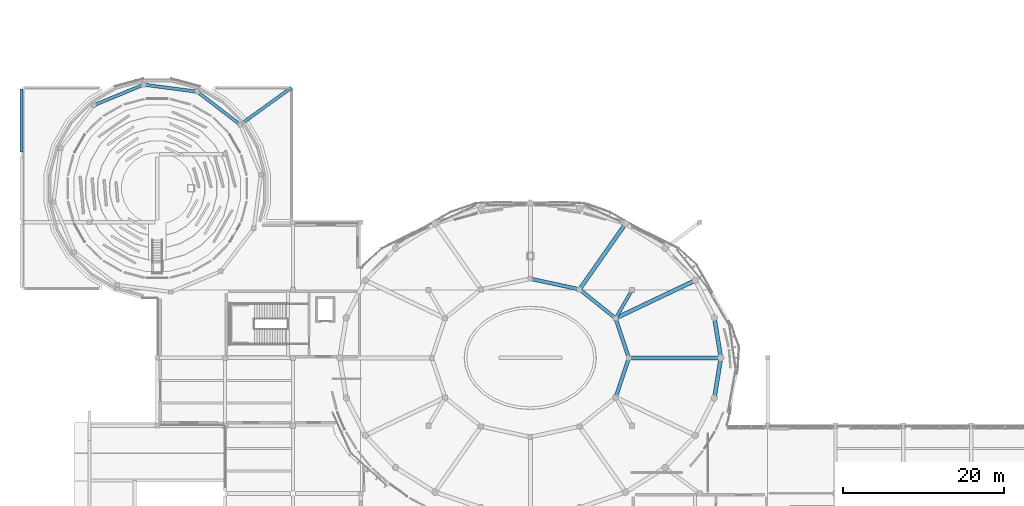
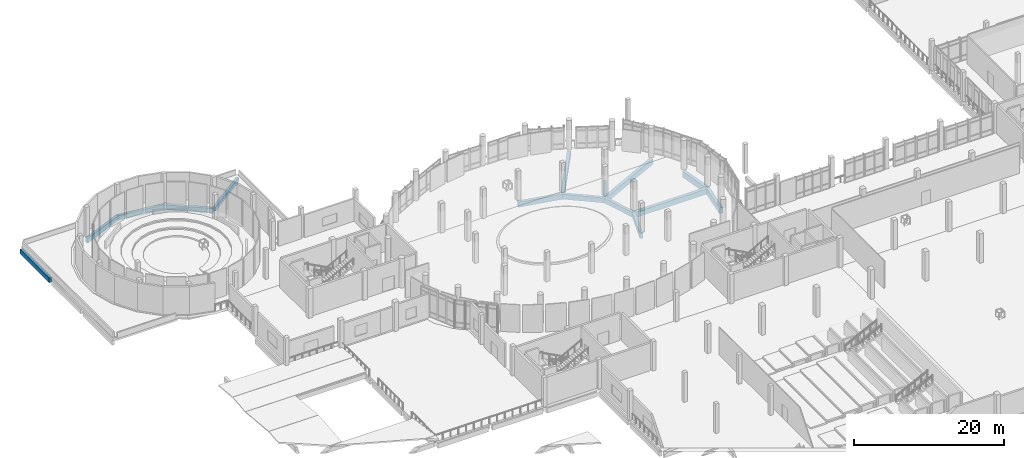
# One storey, part 14 of 63: 15 beams.
"""IFC4 building model written with IfcOpenShell, lengths in metres."""

import ifcopenshell
import ifcopenshell.guid

model = None  # the IFC model being written
_history = None  # IfcOwnerHistory: only IFC2X3 demands one
_inside = {}  # id of a spatial element -> (the spatial element, [elements in it])
_under = {}  # id of a project, library or spatial element -> (it, [spatial elements below it])
_declared = {}  # id of a project -> (the project, [libraries it declares])
_typed = {}  # id of a type object -> (the type object, [elements of that type])
_made_of = {}  # id of a material, layer set ... -> (it, [elements and type objects made of it])


def new_model(schema):
    """Start an empty IFC model of exactly this schema.

    Asked for "IFC4X3", IfcOpenShell would pick the latest addendum, in which some entities
    have other attributes; the version numbers below select the first issue.
    IFC2X3 requires an IfcOwnerHistory on every rooted entity: one is made here for all.
    """
    global model, _history
    if schema == "IFC4X3":
        model = ifcopenshell.file(schema_version=(4, 3, 0, 0))
    else:
        model = ifcopenshell.file(schema=schema)
    _inside.clear()
    _under.clear()
    _declared.clear()
    _typed.clear()
    _made_of.clear()
    _history = None
    if model.schema == "IFC2X3":
        org = make("IfcOrganization", Name="unknown")
        user = make(
            "IfcPersonAndOrganization",
            ThePerson=make("IfcPerson", FamilyName="unknown"),
            TheOrganization=org,
        )
        app = make(
            "IfcApplication",
            ApplicationDeveloper=org,
            Version="unknown",
            ApplicationFullName="unknown",
            ApplicationIdentifier="unknown",
        )
        _history = make(
            "IfcOwnerHistory",
            OwningUser=user,
            OwningApplication=app,
            ChangeAction="ADDED",
            CreationDate=0,
        )
    return model


def make(cls, **values):
    """One entity of the class cls with the attributes given. An attribute that is None is left unset."""
    return model.create_entity(
        cls, **{name: value for name, value in values.items() if value is not None}
    )


def rooted(cls, **values):
    """An entity with a GlobalId (a new one), such as an element, a storey or a relation."""
    return make(cls, GlobalId=ifcopenshell.guid.new(), OwnerHistory=_history, **values)


def si_unit(unit_type, name, prefix=None):
    """IfcSIUnit, for example si_unit("LENGTHUNIT", "METRE", prefix="MILLI")."""
    return make("IfcSIUnit", UnitType=unit_type, Prefix=prefix, Name=name)


def derived_unit(unit_type, elements):
    """IfcDerivedUnit: a product of units, each with its exponent."""
    return make(
        "IfcDerivedUnit",
        Elements=[
            make("IfcDerivedUnitElement", Unit=unit, Exponent=power)
            for unit, power in elements
        ],
        UnitType=unit_type,
    )


def assignment(units):
    """IfcUnitAssignment: the units of a project."""
    return None if units is None else make("IfcUnitAssignment", Units=units)


def point(xyz):
    """IfcCartesianPoint."""
    return None if xyz is None else make("IfcCartesianPoint", Coordinates=xyz)


def direction(xyz):
    """IfcDirection."""
    return None if xyz is None else make("IfcDirection", DirectionRatios=xyz)


def frame(location, z_axis=None, x_axis=None):
    """IfcAxis2Placement3D, a coordinate frame: its origin and axes. An axis left out is left unset."""
    return make(
        "IfcAxis2Placement3D",
        Location=point(location),
        Axis=direction(z_axis),
        RefDirection=direction(x_axis),
    )


def frame_2d(location, x_axis=None):
    """IfcAxis2Placement2D, a coordinate frame in the plane: its origin and x axis."""
    return make(
        "IfcAxis2Placement2D", Location=point(location), RefDirection=direction(x_axis)
    )


def origin():
    """The frame at (0, 0, 0) with its axes left unset."""
    return frame((0.0, 0.0, 0.0))


def origin_2d():
    """The frame at (0, 0) in the plane with its x axis left unset."""
    return frame_2d((0.0, 0.0))


def place(relative_to, where):
    """IfcLocalPlacement: puts the frame where relative to a parent placement (None: the world)."""
    return make(
        "IfcLocalPlacement", PlacementRelTo=relative_to, RelativePlacement=where
    )


def context(
    kind, dimensions, precision=None, world=None, true_north=None, identifier=None
):
    """IfcGeometricRepresentationContext, for example the 3D "Model" context."""
    return make(
        "IfcGeometricRepresentationContext",
        ContextIdentifier=identifier,
        ContextType=kind,
        CoordinateSpaceDimension=dimensions,
        Precision=precision,
        WorldCoordinateSystem=world,
        TrueNorth=true_north,
    )


def subcontext(parent, identifier, kind, view, scale=None):
    """IfcGeometricRepresentationSubContext, for example "Body" below "Model"."""
    return make(
        "IfcGeometricRepresentationSubContext",
        ContextIdentifier=identifier,
        ContextType=kind,
        ParentContext=parent,
        TargetScale=scale,
        TargetView=view,
    )


def project(units=None, contexts=None):
    """IfcProject with its units and contexts."""
    return rooted(
        "IfcProject",
        Name="project",
        RepresentationContexts=contexts,
        UnitsInContext=assignment(units),
    )


def spatial(cls, under=None, at=None, **own):
    """A site, building, storey or space (cls), placed at a placement, below another one or the project."""
    s = rooted(cls, ObjectPlacement=at, **own)
    if under is not None:
        _under.setdefault(under.id(), (under, []))[1].append(s)
    return s


def profile(cls, at=None, kind="AREA", **sizes):
    """A parametric profile (cls). Its sizes go by their IFC names, for example OverallWidth=200.0."""
    return make(cls, ProfileType=kind, Position=at, **sizes)


def rectangle(**sizes):
    """IfcRectangleProfileDef."""
    return profile("IfcRectangleProfileDef", **sizes)


def extrude(swept, where, along, depth):
    """IfcExtrudedAreaSolid: the profile swept, set in the frame where, extruded along a direction by depth."""
    return make(
        "IfcExtrudedAreaSolid",
        SweptArea=swept,
        Position=where,
        ExtrudedDirection=direction(along),
        Depth=depth,
    )


def shape(context_of_items, identifier, shape_type, items):
    """IfcShapeRepresentation: the items that make up one representation, for example the "Body"."""
    return make(
        "IfcShapeRepresentation",
        ContextOfItems=context_of_items,
        RepresentationIdentifier=identifier,
        RepresentationType=shape_type,
        Items=items,
    )


def material(Name=None, Category=None):
    """IfcMaterial."""
    return make("IfcMaterial", Name=Name, Category=Category)


def material_profile(
    of_material, cross_section, Name=None, Category=None, Priority=None
):
    """IfcMaterialProfile: a cross section and its material."""
    return make(
        "IfcMaterialProfile",
        Name=Name,
        Material=of_material,
        Profile=cross_section,
        Priority=Priority,
        Category=Category,
    )


def profile_set(profiles, Name=None, composite=None):
    """IfcMaterialProfileSet."""
    return make(
        "IfcMaterialProfileSet",
        Name=Name,
        MaterialProfiles=profiles,
        CompositeProfile=composite,
    )


def made_of(thing, what):
    """Note that an element or type object is made of a material, layer set ...; save() writes the relation."""
    if what is not None:
        _made_of.setdefault(what.id(), (what, []))[1].append(thing)
    return thing


def type_object(cls, material=None, **own):
    """A type object (cls), such as IfcWallType, which elements share."""
    return made_of(rooted(cls, **own), material)


def element(
    cls,
    number,
    at=None,
    inside=None,
    cuts=None,
    type_object=None,
    material=None,
    context=None,
    identifier="Body",
    shape_type=None,
    held_by="IfcProductDefinitionShape",
    body=None,
    shapes=None,
    **own,
):
    """One element of the class cls, such as IfcWall. Its Tag is "e" and its number.

    at: its placement. inside: the storey or other place that contains it. cuts: it is an
    opening in that element (IfcRelVoidsElement). A single representation is given by context,
    identifier, shape_type and body (its items); several are given by shapes. held_by: the class
    of the entity that holds the representations. save() writes the other relations.
    """
    e = rooted(cls, Tag="e%d" % number, ObjectPlacement=at, **own)
    if body is not None:
        shapes = [shape(context, identifier, shape_type, body)]
    if shapes is not None:
        e.Representation = make(held_by, Representations=shapes)
    if inside is not None:
        _inside.setdefault(inside.id(), (inside, []))[1].append(e)
    if cuts is not None:
        rooted(
            "IfcRelVoidsElement", RelatingBuildingElement=cuts, RelatedOpeningElement=e
        )
    if type_object is not None:
        _typed.setdefault(type_object.id(), (type_object, []))[1].append(e)
    return made_of(e, material)


def aggregate(whole, parts):
    """IfcRelAggregates: a whole, such as a stair, and the parts it consists of."""
    return rooted("IfcRelAggregates", RelatingObject=whole, RelatedObjects=parts)


def save(model, path):
    """Write the relations noted so far, then the file.

    IfcRelAggregates (storeys below a building ...), IfcRelContainedInSpatialStructure (elements
    in a storey), IfcRelDefinesByType, IfcRelAssociatesMaterial and IfcRelDeclares: one each for
    every whole, place, type object, material and project.
    """
    for whole, parts in _under.values():
        aggregate(whole, parts)
    for where, things in _inside.values():
        rooted(
            "IfcRelContainedInSpatialStructure",
            RelatedElements=things,
            RelatingStructure=where,
        )
    for kind, things in _typed.values():
        rooted("IfcRelDefinesByType", RelatedObjects=things, RelatingType=kind)
    for what, things in _made_of.values():
        rooted("IfcRelAssociatesMaterial", RelatedObjects=things, RelatingMaterial=what)
    for by, libraries in _declared.values():
        rooted("IfcRelDeclares", RelatingContext=by, RelatedDefinitions=libraries)
    model.write(path)


model = new_model("IFC4")

# Units and contexts
model_context = context("Model", 3, precision=1e-05, world=origin(), true_north=direction((0.0, 1.0)))
body_context = subcontext(model_context, "Body", "Model", "MODEL_VIEW")
ifc_project = project(units=[si_unit("LENGTHUNIT", "METRE"), si_unit("AREAUNIT", "SQUARE_METRE"), si_unit("VOLUMEUNIT", "CUBIC_METRE"), si_unit("PLANEANGLEUNIT", "RADIAN"), si_unit("MASSUNIT", "GRAM", prefix="KILO"), derived_unit("THERMALTRANSMITTANCEUNIT", [(si_unit("POWERUNIT", "WATT"), 1), (si_unit("LENGTHUNIT", "METRE"), -2), (si_unit("THERMODYNAMICTEMPERATUREUNIT", "KELVIN"), -1)])], contexts=[model_context])

# Site, building, storey
site_placement = place(None, origin())
site = spatial("IfcSite", under=ifc_project, at=site_placement, CompositionType="ELEMENT")
building_placement = place(site_placement, origin())
building = spatial("IfcBuilding", under=site, at=building_placement, Name="Elbkamm Science Centre", CompositionType="ELEMENT")
storey_placement = place(building_placement, frame((0.0, 0.0, 5.10009765625)))
storey = spatial("IfcBuildingStorey", under=building, at=storey_placement, Name="L01", CompositionType="ELEMENT", Elevation=5.10009765625)

# Beams
ifc_material = material(Name="Concrete C40/50", Category="concrete")
ifc_material_profile_1 = material_profile(ifc_material, rectangle(XDim=0.39990234375, YDim=0.64990234375, at=origin_2d()), Name="RC 400x650")
ifc_profile_set_1 = profile_set([ifc_material_profile_1], Name="Concrete C40/50")
beam_type_1 = type_object("IfcBeamType", Name="BM-RC-400x650", PredefinedType="BEAM", material=ifc_profile_set_1)
beam_1_placement = place(storey_placement, frame((33.421630859375, 100.671142578125, -0.72509765625), z_axis=(-0.81045928616, -0.585794968805, 0.0), x_axis=(0.585794968805, -0.81045928616, 0.0)))
element("IfcBeam", 1, at=beam_1_placement, inside=storey, type_object=beam_type_1, Name="L01 Perimeter Ring Tie Girder 026", PredefinedType="BEAM", context=body_context, shape_type="SweptSolid", body=[
    extrude(rectangle(XDim=0.39990234375, YDim=0.64990234375, at=origin_2d()), origin(), (0.0, 0.0, 1.0), 7.6123046875),
])
beam_2_placement = place(storey_placement, frame((75.489501953125, 75.409912109375, -0.72509765625), z_axis=(-0.502465212806, -0.864597426506, 0.0), x_axis=(0.864597426506, -0.502465212806, 0.0)))
element("IfcBeam", 2, at=beam_2_placement, inside=storey, type_object=beam_type_1, Name="L01 Perimeter Ring Tie Girder 030", PredefinedType="BEAM", context=body_context, shape_type="SweptSolid", body=[
    extrude(rectangle(XDim=0.39990234375, YDim=0.64990234375, at=origin_2d()), origin(), (0.0, 0.0, 1.0), 3.608154296875),
])
ifc_material_profile_2 = material_profile(ifc_material, rectangle(XDim=0.39990234375, YDim=0.75, at=origin_2d()), Name="RC 400x750")
ifc_profile_set_2 = profile_set([ifc_material_profile_2], Name="Concrete C40/50")
beam_type_2 = type_object("IfcBeamType", Name="BM-RC-400x750", PredefinedType="BEAM", material=ifc_profile_set_2)
beam_3_placement = place(storey_placement, frame((0.0, 92.699951171875, -0.64501953125), z_axis=(0.0, 1.0, 0.0), x_axis=(-1.0, 0.0, 0.0)))
element("IfcBeam", 3, at=beam_3_placement, inside=storey, type_object=beam_type_2, Name="L01 Step-Back Primary Y-Girder 003", PredefinedType="BEAM", context=body_context, shape_type="SweptSolid", body=[
    extrude(rectangle(XDim=0.39990234375, YDim=0.75, at=origin_2d()), origin(), (0.0, 0.0, 1.0), 7.800048828125),
])
for number, where, z_axis, x_axis, name in (
    (4, (27.073974609375, 96.0830078125, -0.775146484375), (-0.793316689519, 0.608809190249, 0.0), (-0.608809190249, -0.793316689519, 0.0), "L01 Planetarium Drum Ring Spandrel 02"),
    (5, (21.756103515625, 100.1640625, -0.775146484375), (-0.991444127465, 0.13053176669, 0.0), (-0.13053176669, -0.991444127465, 0.0), "L01 Planetarium Drum Ring Spandrel 03"),
    (6, (15.110107421875, 101.0390625, -0.775146484375), (-0.923896985298, -0.382641294893, 0.0), (0.382641294893, -0.923896985298, 0.0), "L01 Planetarium Drum Ring Spandrel 04"),
):
    element("IfcBeam", number, at=place(storey_placement, frame(where, z_axis=z_axis, x_axis=x_axis)), inside=storey, type_object=beam_type_2, Name=name, PredefinedType="SPANDREL", context=body_context, shape_type="SweptSolid", body=[
        extrude(rectangle(XDim=0.39990234375, YDim=0.75, at=origin_2d()), origin(), (0.0, 0.0, 1.0), 6.703369140625),
    ])
ifc_material_profile_3 = material_profile(ifc_material, rectangle(XDim=0.449951171875, YDim=0.800048828125, at=origin_2d()), Name="RC 450x800")
ifc_profile_set_3 = profile_set([ifc_material_profile_3], Name="Concrete C40/50")
beam_type_3 = type_object("IfcBeamType", Name="BM-RC-450x800", PredefinedType="BEAM", material=ifc_profile_set_3)
beam_4_placement = place(storey_placement, frame((75.199951171875, 67.199951171875, -0.800048828125), z_axis=(-0.31634119852, 0.948645479681, 0.0), x_axis=(-0.948645479681, -0.31634119852, 0.0)))
element("IfcBeam", 7, at=beam_4_placement, inside=storey, type_object=beam_type_3, Name="L01 Atrium Ring Girder 01", PredefinedType="BEAM", context=body_context, shape_type="SweptSolid", body=[
    extrude(rectangle(XDim=0.449951171875, YDim=0.800048828125, at=origin_2d()), origin(), (0.0, 0.0, 1.0), 5.16552734375),
])
beam_5_placement = place(storey_placement, frame((73.56591796875, 72.10009765625, -0.800048828125), z_axis=(-0.779653109273, 0.626211648887, 0.0), x_axis=(-0.626211648887, -0.779653109273, 0.0)))
element("IfcBeam", 8, at=beam_5_placement, inside=storey, type_object=beam_type_3, Name="L01 Atrium Ring Girder 02", PredefinedType="BEAM", context=body_context, shape_type="SweptSolid", body=[
    extrude(rectangle(XDim=0.449951171875, YDim=0.800048828125, at=origin_2d()), origin(), (0.0, 0.0, 1.0), 5.72802734375),
])
beam_6_placement = place(storey_placement, frame((69.10009765625, 75.68701171875, -0.800048828125), z_axis=(-0.97761076487, 0.210421463759, 0.0), x_axis=(-0.210421463759, -0.97761076487, 0.0)))
element("IfcBeam", 9, at=beam_6_placement, inside=storey, type_object=beam_type_3, Name="L01 Atrium Ring Girder 03", PredefinedType="BEAM", context=body_context, shape_type="SweptSolid", body=[
    extrude(rectangle(XDim=0.449951171875, YDim=0.800048828125, at=origin_2d()), origin(), (0.0, 0.0, 1.0), 6.23974609375),
])
beam_7_placement = place(storey_placement, frame((73.56591796875, 62.300048828125, -0.800048828125), z_axis=(0.316355382987, 0.948640749523, 0.0), x_axis=(-0.948640749523, 0.316355382987, 0.0)))
element("IfcBeam", 10, at=beam_7_placement, inside=storey, type_object=beam_type_3, Name="L01 Atrium Ring Girder 12", PredefinedType="BEAM", context=body_context, shape_type="SweptSolid", body=[
    extrude(rectangle(XDim=0.449951171875, YDim=0.800048828125, at=origin_2d()), origin(), (0.0, 0.0, 1.0), 5.165283203125),
])
ifc_material_profile_4 = material_profile(ifc_material, rectangle(XDim=0.5, YDim=0.85009765625, at=origin_2d()), Name="RC 500x850")
ifc_profile_set_4 = profile_set([ifc_material_profile_4], Name="Concrete C40/50")
beam_type_4 = type_object("IfcBeamType", Name="BM-RC-500x850", PredefinedType="BEAM", material=ifc_profile_set_4)
beam_8_placement = place(storey_placement, frame((75.199951171875, 67.199951171875, -0.8251953125), z_axis=(1.0, 0.0, 0.0), x_axis=(0.0, 1.0, 0.0)))
element("IfcBeam", 11, at=beam_8_placement, inside=storey, type_object=beam_type_4, Name="L01 Elliptical Radial Girder 01", PredefinedType="BEAM", context=body_context, shape_type="SweptSolid", body=[
    extrude(rectangle(XDim=0.5, YDim=0.85009765625, at=origin_2d()), origin(), (0.0, 0.0, 1.0), 11.400146484375),
])
beam_9_placement = place(storey_placement, frame((73.56591796875, 72.10009765625, -0.8251953125), z_axis=(0.902897249077, 0.429856438371, 0.0), x_axis=(-0.429856438371, 0.902897249077, 0.0)))
element("IfcBeam", 12, at=beam_9_placement, inside=storey, type_object=beam_type_4, Name="L01 Elliptical Radial Girder 02", PredefinedType="BEAM", context=body_context, shape_type="SweptSolid", body=[
    extrude(rectangle(XDim=0.5, YDim=0.85009765625, at=origin_2d()), origin(), (0.0, 0.0, 1.0), 10.933837890625),
])
beam_10_placement = place(storey_placement, frame((69.10009765625, 75.68701171875, -0.8251953125), z_axis=(0.573553022395, 0.819168438419, 0.0), x_axis=(-0.819168438419, 0.573553022395, 0.0)))
element("IfcBeam", 13, at=beam_10_placement, inside=storey, type_object=beam_type_4, Name="L01 Elliptical Radial Girder 03", PredefinedType="BEAM", context=body_context, shape_type="SweptSolid", body=[
    extrude(rectangle(XDim=0.5, YDim=0.85009765625, at=origin_2d()), origin(), (0.0, 0.0, 1.0), 9.93798828125),
])
ifc_material_profile_5 = material_profile(ifc_material, rectangle(XDim=0.5, YDim=0.949951171875, at=origin_2d()), Name="RC 500x950")
ifc_profile_set_5 = profile_set([ifc_material_profile_5], Name="Concrete C40/50")
beam_type_5 = type_object("IfcBeamType", Name="BM-RC-500x950", PredefinedType="BEAM", material=ifc_profile_set_5)
for number, where, z_axis, x_axis, name in (
    (14, (86.60009765625, 67.199951171875, -0.875), (-0.15976460627, 0.987155140078, 0.0), (-0.987155140078, -0.15976460627, 0.0), "L01 Elliptical Shell Perimeter Ring Beam 01"),
    (15, (85.7958984375, 62.23095703125, -0.875), (0.15976460627, 0.987155140078, 0.0), (-0.987155140078, 0.15976460627, 0.0), "L01 Elliptical Shell Perimeter Ring Beam 24"),
):
    element("IfcBeam", number, at=place(storey_placement, frame(where, z_axis=z_axis, x_axis=x_axis)), inside=storey, type_object=beam_type_5, Name=name, PredefinedType="SPANDREL", context=body_context, shape_type="SweptSolid", body=[
        extrude(rectangle(XDim=0.5, YDim=0.949951171875, at=origin_2d()), origin(), (0.0, 0.0, 1.0), 5.03369140625),
    ])

save(model, "model.ifc")
